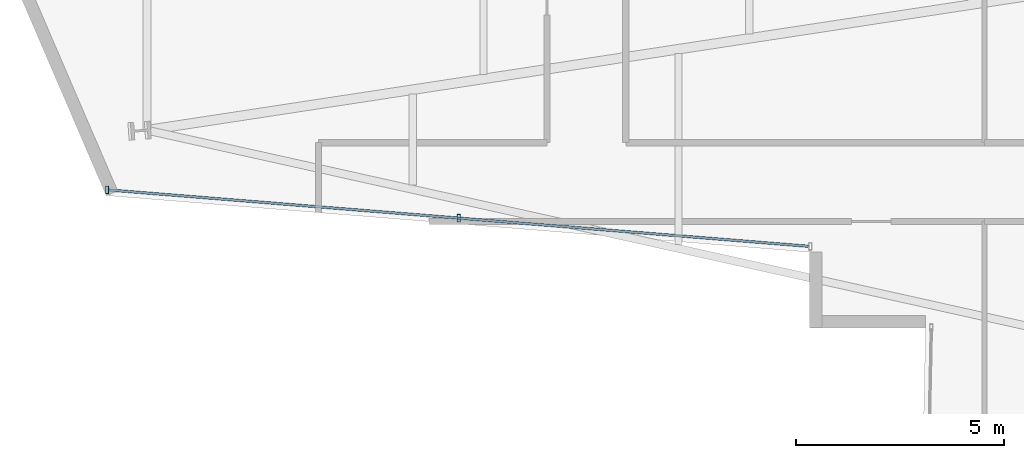
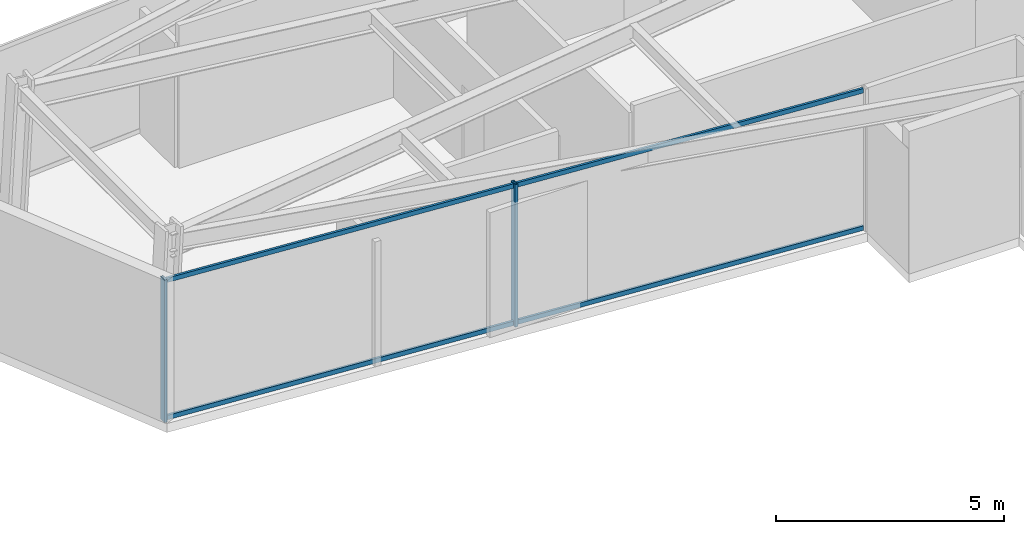
# One storey, part 2 of 24: 4 members, 1 element without a shape of its own.
"""IFC4 building model written with IfcOpenShell, lengths in metres."""

from ifc_helpers import new_model, si_unit, direction, frame, origin, origin_2d, place, context, subcontext, project, spatial, hollow_rectangle, extrude, material, layer, layer_set, material_profile, profile_set, type_object, element, aggregate, save


model = new_model("IFC4")

# Units and contexts
model_context = context("Model", 3, precision=1e-05, world=origin(), true_north=direction((0.0, 1.0)))
body_context = subcontext(model_context, "Body", "Model", "MODEL_VIEW")
ifc_project = project(units=[si_unit("LENGTHUNIT", "METRE"), si_unit("AREAUNIT", "SQUARE_METRE"), si_unit("VOLUMEUNIT", "CUBIC_METRE"), si_unit("PLANEANGLEUNIT", "RADIAN"), si_unit("MASSUNIT", "GRAM", prefix="KILO")], contexts=[model_context])

# Site, building, storey
site_placement = place(None, origin())
site = spatial("IfcSite", under=ifc_project, at=site_placement, CompositionType="ELEMENT")
building_placement = place(site_placement, origin())
building = spatial("IfcBuilding", under=site, at=building_placement, Name="Veymaron Broadcast Tower", CompositionType="ELEMENT")
storey_placement = place(building_placement, frame((0.0, 0.0, 98.550048828125)))
storey = spatial("IfcBuildingStorey", under=building, at=storey_placement, Name="L22", CompositionType="ELEMENT", Elevation=98.550048828125)

# Curtain wall, members
ifc_material_1 = material(Name="Anodised aluminium AA 6063-T6 and laminated low-E dark glass", Category="aluminium")
ifc_layer = layer(ifc_material_1, 0.179931640625)
ifc_layer_set = layer_set([ifc_layer], Name="Anodised aluminium AA 6063-T6 and laminated low-E dark glass")
curtain_wall_type = type_object("IfcCurtainWallType", Name="CW-SYS-02", PredefinedType="NOTDEFINED", material=ifc_layer_set)
curtain_wall_placement = place(storey_placement, origin())
curtain_wall = element("IfcCurtainWall", 1, at=curtain_wall_placement, inside=storey, type_object=curtain_wall_type, Name="L22 dark-glass curtain wall CW-L22-E14-1", PredefinedType="NOTDEFINED")
ifc_material_2 = material(Name="Anodised aluminium AA 6063-T6", Category="aluminium")
ifc_material_profile_1 = material_profile(ifc_material_2, hollow_rectangle(XDim=0.074951171875, YDim=0.179931640625, WallThickness=0.0048828125, at=origin_2d()), Name="AL180X75X5")
ifc_profile_set_1 = profile_set([ifc_material_profile_1], Name="Anodised aluminium AA 6063-T6")
member_type_1 = type_object("IfcMemberType", Name="CW-MUL-02", PredefinedType="MULLION", material=ifc_profile_set_1)
member_1_placement = place(storey_placement, frame((8.9111328125, 19.314208984375, 0.0), z_axis=(0.0, 0.0, 1.0), x_axis=(1.0, 0.0, 0.0)))
member_1 = element("IfcMember", 2, at=member_1_placement, type_object=member_type_1, Name="CW-L22-E14-1 mullion 0", PredefinedType="MULLION", context=body_context, shape_type="SweptSolid", body=[
    extrude(hollow_rectangle(XDim=0.074951171875, YDim=0.179931640625, WallThickness=0.0048828125, at=origin_2d()), origin(), (0.0, 0.0, 1.0), 3.81005859375),
])
member_2_placement = place(storey_placement, frame((17.377197265625, 18.6328125, 0.0), z_axis=(0.0, 0.0, 1.0), x_axis=(1.0, 0.0, 0.0)))
member_2 = element("IfcMember", 3, at=member_2_placement, type_object=member_type_1, Name="CW-L22-E14-1 mullion 1", PredefinedType="MULLION", context=body_context, shape_type="SweptSolid", body=[
    extrude(hollow_rectangle(XDim=0.074951171875, YDim=0.179931640625, WallThickness=0.0048828125, at=origin_2d()), origin(), (0.0, 0.0, 1.0), 3.81005859375),
])
ifc_material_profile_2 = material_profile(ifc_material_2, hollow_rectangle(XDim=0.06005859375, YDim=0.1201171875, WallThickness=0.00390625, at=origin_2d()), Name="AL120X60X4")
ifc_profile_set_2 = profile_set([ifc_material_profile_2], Name="Anodised aluminium AA 6063-T6")
member_type_2 = type_object("IfcMemberType", Name="CW-TRN-02", PredefinedType="USERDEFINED", material=ifc_profile_set_2)
member_3_placement = place(storey_placement, frame((8.9609375, 19.310302734375, 0.070068359375), z_axis=(0.996775714969, -0.080238233082, 0.0), x_axis=(0.080238233082, 0.996775714969, 0.0)))
member_3 = element("IfcMember", 4, at=member_3_placement, type_object=member_type_2, Name="CW-L22-E14-1 transom B", ObjectType="TRANSOM", PredefinedType="USERDEFINED", context=body_context, shape_type="SweptSolid", body=[
    extrude(hollow_rectangle(XDim=0.06005859375, YDim=0.1201171875, WallThickness=0.00390625, at=origin_2d()), origin(), (0.0, 0.0, 1.0), 16.886962890625),
])
member_4_placement = place(storey_placement, frame((8.9609375, 19.310302734375, 3.739990234375), z_axis=(0.996775714969, -0.080238233082, 0.0), x_axis=(0.080238233082, 0.996775714969, 0.0)))
member_4 = element("IfcMember", 5, at=member_4_placement, type_object=member_type_2, Name="CW-L22-E14-1 transom T", ObjectType="TRANSOM", PredefinedType="USERDEFINED", context=body_context, shape_type="SweptSolid", body=[
    extrude(hollow_rectangle(XDim=0.06005859375, YDim=0.1201171875, WallThickness=0.00390625, at=origin_2d()), origin(), (0.0, 0.0, 1.0), 16.886962890625),
])
aggregate(curtain_wall, [member_1, member_2, member_3, member_4])

save(model, "model.ifc")
